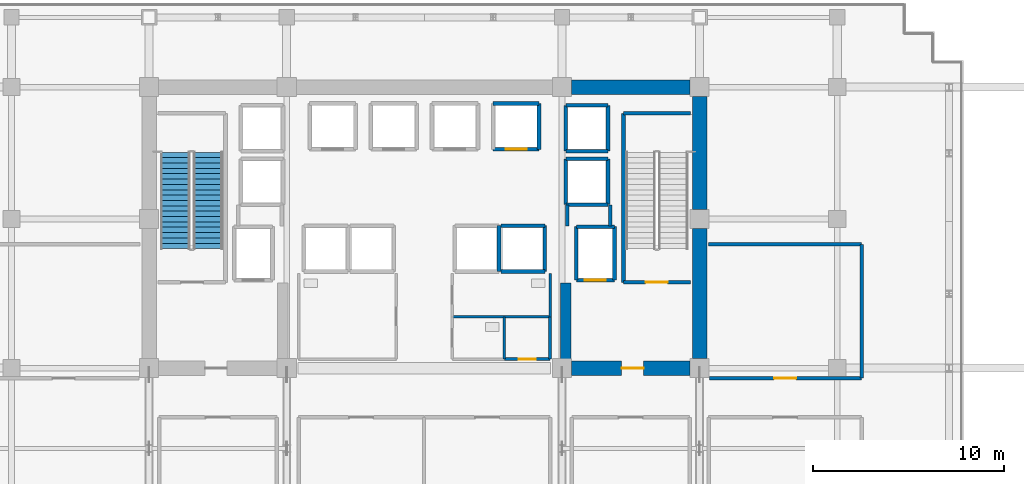
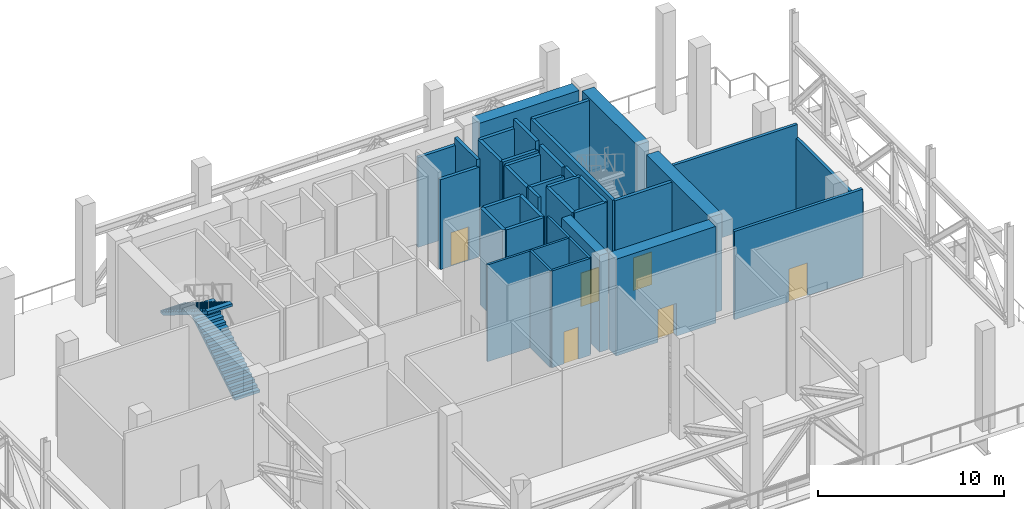
# One storey, part 9 of 15: 37 walls, 6 doors, 2 stair flights, 6 openings, 1 element without a shape of its own.
"""IFC4 building model written with IfcOpenShell, lengths in metres."""

from ifc_helpers import new_model, si_unit, direction, frame, frame_2d, origin, place, context, subcontext, project, spatial, polyline, rectangle, outline, extrude, source, transform, mapped, material, layer, layer_set, type_object, element, fill, aggregate, save


model = new_model("IFC4")

# Units and contexts
model_context = context("Model", 3, precision=1e-05, world=origin(), true_north=direction((0.0, 1.0)))
body_context = subcontext(model_context, "Body", "Model", "MODEL_VIEW")
ifc_project = project(units=[si_unit("LENGTHUNIT", "METRE"), si_unit("AREAUNIT", "SQUARE_METRE"), si_unit("VOLUMEUNIT", "CUBIC_METRE"), si_unit("PLANEANGLEUNIT", "RADIAN"), si_unit("MASSUNIT", "GRAM", prefix="KILO")], contexts=[model_context])

# Site, building, storey
site_placement = place(None, origin())
site = spatial("IfcSite", under=ifc_project, at=site_placement, CompositionType="ELEMENT")
building_placement = place(site_placement, origin())
building = spatial("IfcBuilding", under=site, at=building_placement, Name="Zarnakvel Exchange Tower", CompositionType="ELEMENT")
storey_placement = place(building_placement, frame((0.0, 0.0, 80.199951171875)))
storey = spatial("IfcBuildingStorey", under=building, at=storey_placement, Name="L22", CompositionType="ELEMENT", Elevation=80.199951171875)

# Walls
ifc_material_1 = material(Name="Concrete C60/75", Category="concrete")
ifc_layer_1 = layer(ifc_material_1, 0.75)
ifc_layer_set_1 = layer_set([ifc_layer_1], Name="Concrete C60/75")
wall_type_1 = type_object("IfcWallType", Name="CW-C3", PredefinedType="SHEAR", material=ifc_layer_set_1)
wall_1_placement = place(storey_placement, frame((7.699951171875, 13.5, 0.0), z_axis=(0.0, 0.0, 1.0), x_axis=(1.0, 0.0, 0.0)))
element("IfcWall", 1, at=wall_1_placement, inside=storey, type_object=wall_type_1, Name="L22 Rear Core Shear Wall N3 (CW-C3)", PredefinedType="SHEAR", context=body_context, shape_type="SweptSolid", body=[
    extrude(rectangle(XDim=6.199951171875, YDim=0.75, at=frame_2d((3.10009765625, 0.0))), origin(), (0.0, 0.0, 1.0), 6.35009765625),
])
wall_2_placement = place(storey_placement, frame((14.39990234375, -0.699951171875, 0.0), z_axis=(0.0, 0.0, 1.0), x_axis=(0.0, 1.0, 0.0)))
element("IfcWall", 2, at=wall_2_placement, inside=storey, type_object=wall_type_1, Name="L22 Rear Core Shear Wall E1 (CW-C3)", PredefinedType="SHEAR", context=body_context, shape_type="SweptSolid", body=[
    extrude(rectangle(XDim=6.800048828125, YDim=0.75, at=frame_2d((3.39990234375, 0.0))), origin(), (0.0, 0.0, 1.0), 6.35009765625),
])
wall_3_placement = place(storey_placement, frame((14.39990234375, 7.10009765625, 0.0), z_axis=(0.0, 0.0, 1.0), x_axis=(0.0, 1.0, 0.0)))
element("IfcWall", 3, at=wall_3_placement, inside=storey, type_object=wall_type_1, Name="L22 Rear Core Shear Wall E2 (CW-C3)", PredefinedType="SHEAR", context=body_context, shape_type="SweptSolid", body=[
    extrude(rectangle(XDim=5.89990234375, YDim=0.75, at=frame_2d((2.949951171875, 0.0))), origin(), (0.0, 0.0, 1.0), 6.35009765625),
])

# Wall, opening, door
wall_4_placement = place(storey_placement, frame((13.89990234375, -1.199951171875, 0.0), z_axis=(0.0, 0.0, 1.0), x_axis=(-1.0, 0.0, 0.0)))
wall_4 = element("IfcWall", 4, at=wall_4_placement, inside=storey, type_object=wall_type_1, Name="L22 Rear Core Shear Wall SE (CW-C3)", PredefinedType="SHEAR", context=body_context, shape_type="SweptSolid", body=[
    extrude(rectangle(XDim=6.199951171875, YDim=0.75, at=frame_2d((3.10009765625, 0.0))), origin(), (0.0, 0.0, 1.0), 6.35009765625),
])
opening_1_placement = place(wall_4_placement, frame((2.425048828125, 0.0, 0.0)))
opening_1 = element("IfcOpeningElement", 5, at=opening_1_placement, cuts=wall_4, Name="Opening D-L22-04", PredefinedType="OPENING", context=body_context, shape_type="SweptSolid", body=[
    extrude(rectangle(XDim=1.14990234375, YDim=2.14990234375, at=frame_2d((0.574951171875, 1.074951171875))), frame((0.0, 0.385009765625, 0.0), z_axis=(0.0, -1.0, 0.0), x_axis=(1.0, 0.0, 0.0)), (0.0, 0.0, 1.0), 0.77001953125),
])
ifc_material_2 = material(Name="Painted Galvanised Steel S355", Category="steel")
door_type_1 = type_object("IfcDoorType", Name="DT-04", OperationType="NOTDEFINED", PredefinedType="DOOR", material=ifc_material_2)
shared_shape_1 = source(origin(), body_context, "Body", "SweptSolid", [
    extrude(rectangle(XDim=1.14990234375, YDim=2.14990234375, at=frame_2d((0.574951171875, 1.074951171875))), frame((0.0, 0.02490234375, 0.0), z_axis=(0.0, -1.0, 0.0), x_axis=(1.0, 0.0, 0.0)), (0.0, 0.0, 1.0), 0.050048828125),
])
door_1_placement = place(opening_1_placement, origin())
door_1 = element("IfcDoor", 6, at=door_1_placement, inside=storey, type_object=door_type_1, Name="L22 Firefighting Lobby East Door D-L22-04", OperationType="SINGLE_SWING_RIGHT", OverallHeight=2.14990234375, OverallWidth=1.14990234375, PredefinedType="DOOR", context=body_context, shape_type="MappedRepresentation", body=[
    mapped(shared_shape_1, transform((0.0, 0.0, 0.0), x_axis=(1.0, 0.0, 0.0), y_axis=(0.0, 1.0, 0.0), z_axis=(0.0, 0.0, 1.0), scale=1.0)),
])
fill(opening_1, door_1)

# Wall
ifc_layer_2 = layer(ifc_material_1, 0.550048828125)
ifc_layer_set_2 = layer_set([ifc_layer_2], Name="Concrete C60/75")
wall_type_2 = type_object("IfcWallType", Name="CW-C4", PredefinedType="SHEAR", material=ifc_layer_set_2)
wall_5_placement = place(storey_placement, frame((7.39990234375, -0.824951171875, 0.0), z_axis=(0.0, 0.0, 1.0), x_axis=(0.0, 1.0, 0.0)))
element("IfcWall", 7, at=wall_5_placement, inside=storey, type_object=wall_type_2, Name="L22 Rear Core Shear Wall IE (CW-C4)", PredefinedType="SHEAR", context=body_context, shape_type="SweptSolid", body=[
    extrude(rectangle(XDim=4.074951171875, YDim=0.550048828125, at=frame_2d((2.03759765625, 0.0))), origin(), (0.0, 0.0, 1.0), 6.35009765625),
])

# Wall, opening, door
ifc_material_3 = material(Name="Fire-Rated Gypsum Stud Partition", Category="gypsum")
ifc_layer_3 = layer(ifc_material_3, 0.14990234375)
ifc_layer_set_3 = layer_set([ifc_layer_3], Name="Fire-Rated Gypsum Stud Partition")
wall_type_3 = type_object("IfcWallType", Name="PT-01", PredefinedType="PARTITIONING", material=ifc_layer_set_3)
wall_6_placement = place(storey_placement, frame((6.580078125, -0.72998046875, 0.0), z_axis=(0.0, 0.0, 1.0), x_axis=(-1.0, 0.0, 0.0)))
wall_6 = element("IfcWall", 8, at=wall_6_placement, inside=storey, type_object=wall_type_3, Name="L22 Partition Wall PWALL-L22-020 (PT-01)", PredefinedType="PARTITIONING", context=body_context, shape_type="SweptSolid", body=[
    extrude(rectangle(XDim=2.400146484375, YDim=0.14990234375, at=frame_2d((1.2001953125, 0.0))), origin(), (0.0, 0.0, 1.0), 6.35009765625),
])
opening_2_placement = place(wall_6_placement, frame((0.760009765625, 0.0, 0.0)))
opening_2 = element("IfcOpeningElement", 9, at=opening_2_placement, cuts=wall_6, Name="Opening D-L22-08", PredefinedType="OPENING", context=body_context, shape_type="SweptSolid", body=[
    extrude(rectangle(XDim=0.8798828125, YDim=2.10009765625, at=frame_2d((0.43994140625, 1.050048828125))), frame((0.0, 0.0849609375, 0.0), z_axis=(0.0, -1.0, 0.0), x_axis=(1.0, 0.0, 0.0)), (0.0, 0.0, 1.0), 0.169921875),
])
door_type_2 = type_object("IfcDoorType", Name="DT-08", OperationType="NOTDEFINED", PredefinedType="DOOR", material=ifc_material_2)
shared_shape_2 = source(origin(), body_context, "Body", "SweptSolid", [
    extrude(rectangle(XDim=0.8798828125, YDim=2.10009765625, at=frame_2d((0.43994140625, 1.050048828125))), frame((0.0, 0.02490234375, 0.0), z_axis=(0.0, -1.0, 0.0), x_axis=(1.0, 0.0, 0.0)), (0.0, 0.0, 1.0), 0.050048828125),
])
door_2_placement = place(opening_2_placement, origin())
door_2 = element("IfcDoor", 10, at=door_2_placement, inside=storey, type_object=door_type_2, Name="L22 Cleaners Store Door D-L22-08", OperationType="SINGLE_SWING_RIGHT", OverallHeight=2.10009765625, OverallWidth=0.8798828125, PredefinedType="DOOR", context=body_context, shape_type="MappedRepresentation", body=[
    mapped(shared_shape_2, transform((0.0, 0.0, 0.0), x_axis=(1.0, 0.0, 0.0), y_axis=(0.0, 1.0, 0.0), z_axis=(0.0, 0.0, 1.0), scale=1.0)),
])
fill(opening_2, door_2)

# Walls
wall_7_placement = place(storey_placement, frame((6.580078125, 1.47998046875, 0.0), z_axis=(0.0, 0.0, 1.0), x_axis=(0.0, -1.0, 0.0)))
element("IfcWall", 11, at=wall_7_placement, inside=storey, type_object=wall_type_3, Name="L22 Partition Wall PWALL-L22-021 (PT-01)", PredefinedType="PARTITIONING", context=body_context, shape_type="SweptSolid", body=[
    extrude(rectangle(XDim=2.2099609375, YDim=0.14990234375, at=frame_2d((1.10498046875, 0.0))), origin(), (0.0, 0.0, 1.0), 6.35009765625),
])
ifc_layer_4 = layer(ifc_material_3, 0.179931640625)
ifc_layer_set_4 = layer_set([ifc_layer_4], Name="Fire-Rated Gypsum Stud Partition")
wall_type_4 = type_object("IfcWallType", Name="PT-02", PredefinedType="PARTITIONING", material=ifc_layer_set_4)
wall_8_placement = place(storey_placement, frame((7.469970703125, 6.239990234375, 0.0), z_axis=(0.0, 0.0, 1.0), x_axis=(0.0, 1.0, 0.0)))
element("IfcWall", 12, at=wall_8_placement, inside=storey, type_object=wall_type_4, Name="L22 Partition Wall PWALL-L22-009 (PT-02)", PredefinedType="PARTITIONING", context=body_context, shape_type="SweptSolid", body=[
    extrude(rectangle(XDim=1.090087890625, YDim=0.179931640625, at=frame_2d((0.544921875, 0.0))), origin(), (0.0, 0.0, 1.0), 5.7900390625),
])
wall_9_placement = place(storey_placement, frame((9.72998046875, 7.330078125, 0.0), z_axis=(0.0, 0.0, 1.0), x_axis=(0.0, -1.0, 0.0)))
element("IfcWall", 13, at=wall_9_placement, inside=storey, type_object=wall_type_4, Name="L22 Partition Wall PWALL-L22-010 (PT-02)", PredefinedType="PARTITIONING", context=body_context, shape_type="SweptSolid", body=[
    extrude(rectangle(XDim=1.090087890625, YDim=0.179931640625, at=frame_2d((0.544921875, 0.0))), origin(), (0.0, 0.0, 1.0), 6.35009765625),
])

# Wall, opening, door
wall_10_placement = place(storey_placement, frame((22.8798828125, -1.719970703125, 0.0), z_axis=(0.0, 0.0, 1.0), x_axis=(-1.0, 0.0, 0.0)))
wall_10 = element("IfcWall", 14, at=wall_10_placement, inside=storey, type_object=wall_type_4, Name="L22 Partition Wall PWALL-L22-025 (PT-02)", PredefinedType="PARTITIONING", context=body_context, shape_type="SweptSolid", body=[
    extrude(rectangle(XDim=7.9599609375, YDim=0.179931640625, at=frame_2d((3.97998046875, 0.0))), origin(), (0.0, 0.0, 1.0), 5.7900390625),
])
opening_3_placement = place(wall_10_placement, frame((3.429931640625, 0.0, 0.0)))
opening_3 = element("IfcOpeningElement", 15, at=opening_3_placement, cuts=wall_10, Name="Opening D-L22-10", PredefinedType="OPENING", context=body_context, shape_type="SweptSolid", body=[
    extrude(rectangle(XDim=1.14990234375, YDim=2.14990234375, at=frame_2d((0.574951171875, 1.074951171875))), frame((0.0, 0.099853515625, 0.0), z_axis=(0.0, -1.0, 0.0), x_axis=(1.0, 0.0, 0.0)), (0.0, 0.0, 1.0), 0.199951171875),
])
door_3_placement = place(opening_3_placement, origin())
door_3 = element("IfcDoor", 16, at=door_3_placement, inside=storey, type_object=door_type_1, Name="L22 L22 Protected Refuge Area East Door D-L22-10", OperationType="SINGLE_SWING_RIGHT", OverallHeight=2.14990234375, OverallWidth=1.14990234375, PredefinedType="DOOR", context=body_context, shape_type="MappedRepresentation", body=[
    mapped(shared_shape_1, transform((0.0, 0.0, 0.0), x_axis=(1.0, 0.0, 0.0), y_axis=(0.0, 1.0, 0.0), z_axis=(0.0, 0.0, 1.0), scale=1.0)),
])
fill(opening_3, door_3)

# Walls
wall_11_placement = place(storey_placement, frame((14.8701171875, 5.280029296875, 0.0), z_axis=(0.0, 0.0, 1.0), x_axis=(1.0, 0.0, 0.0)))
element("IfcWall", 17, at=wall_11_placement, inside=storey, type_object=wall_type_4, Name="L22 Partition Wall PWALL-L22-026 (PT-02)", PredefinedType="PARTITIONING", context=body_context, shape_type="SweptSolid", body=[
    extrude(rectangle(XDim=8.009765625, YDim=0.179931640625, at=frame_2d((4.0048828125, 0.0))), origin(), (0.0, 0.0, 1.0), 5.7900390625),
])
wall_12_placement = place(storey_placement, frame((22.8798828125, 5.280029296875, 0.0), z_axis=(0.0, 0.0, 1.0), x_axis=(0.0, -1.0, 0.0)))
element("IfcWall", 18, at=wall_12_placement, inside=storey, type_object=wall_type_4, Name="L22 Partition Wall PWALL-L22-027 (PT-02)", PredefinedType="PARTITIONING", context=body_context, shape_type="SweptSolid", body=[
    extrude(rectangle(XDim=7.0, YDim=0.179931640625, at=frame_2d((3.5, 0.0))), origin(), (0.0, 0.0, 1.0), 4.89013671875),
])
ifc_material_4 = material(Name="Moisture-Resistant Tile-Faced Partition", Category="gypsum")
ifc_layer_5 = layer(ifc_material_4, 0.135009765625)
ifc_layer_set_5 = layer_set([ifc_layer_5], Name="Moisture-Resistant Tile-Faced Partition")
wall_type_5 = type_object("IfcWallType", Name="PT-03", PredefinedType="PARTITIONING", material=ifc_layer_set_5)
wall_13_placement = place(storey_placement, frame((6.580078125, 1.47998046875, 0.0), z_axis=(0.0, 0.0, 1.0), x_axis=(-1.0, 0.0, 0.0)))
element("IfcWall", 19, at=wall_13_placement, inside=storey, type_object=wall_type_5, Name="L22 Partition Wall PWALL-L22-014 (PT-03)", PredefinedType="PARTITIONING", context=body_context, shape_type="SweptSolid", body=[
    extrude(rectangle(XDim=5.110107421875, YDim=0.135009765625, at=frame_2d((2.55517578125, 0.0))), origin(), (0.0, 0.0, 1.0), 6.35009765625),
])
wall_14_placement = place(storey_placement, frame((6.580078125, 3.760009765625, 0.0), z_axis=(0.0, 0.0, 1.0), x_axis=(0.0, -1.0, 0.0)))
element("IfcWall", 20, at=wall_14_placement, inside=storey, type_object=wall_type_5, Name="L22 Partition Wall PWALL-L22-016 (PT-03)", PredefinedType="PARTITIONING", context=body_context, shape_type="SweptSolid", body=[
    extrude(rectangle(XDim=2.280029296875, YDim=0.135009765625, at=frame_2d((1.14013671875, 0.0))), origin(), (0.0, 0.0, 1.0), 6.35009765625),
])
wall_15_placement = place(storey_placement, frame((4.179931640625, 1.47998046875, 0.0), z_axis=(0.0, 0.0, 1.0), x_axis=(0.0, -1.0, 0.0)))
element("IfcWall", 21, at=wall_15_placement, inside=storey, type_object=wall_type_5, Name="L22 Partition Wall PWALL-L22-019 (PT-03)", PredefinedType="PARTITIONING", context=body_context, shape_type="SweptSolid", body=[
    extrude(rectangle(XDim=2.2099609375, YDim=0.135009765625, at=frame_2d((1.10498046875, 0.0))), origin(), (0.0, 0.0, 1.0), 6.35009765625),
])

# Wall, opening, door
ifc_material_5 = material(Name="Concrete C40/50", Category="concrete")
ifc_layer_6 = layer(ifc_material_5, 0.199951171875)
ifc_layer_set_6 = layer_set([ifc_layer_6], Name="Concrete C40/50")
wall_type_6 = type_object("IfcWallType", Name="SW-01", PredefinedType="SOLIDWALL", material=ifc_layer_set_6)
wall_16_placement = place(storey_placement, frame((9.949951171875, 3.39990234375, 0.0), z_axis=(0.0, 0.0, 1.0), x_axis=(-1.0, 0.0, 0.0)))
wall_16 = element("IfcWall", 22, at=wall_16_placement, inside=storey, type_object=wall_type_6, Name="L22 FL-02 Hoistway Wall South", PredefinedType="SOLIDWALL", context=body_context, shape_type="SweptSolid", body=[
    extrude(rectangle(XDim=2.0, YDim=0.199951171875, at=frame_2d((1.0, 0.0))), origin(), (0.0, 0.0, 1.0), 6.35009765625),
])
opening_4_placement = place(wall_16_placement, frame((0.449951171875, 0.0, 0.0)))
opening_4 = element("IfcOpeningElement", 23, at=opening_4_placement, cuts=wall_16, Name="Opening LD-FL-02-L22", PredefinedType="OPENING", context=body_context, shape_type="SweptSolid", body=[
    extrude(rectangle(XDim=1.10009765625, YDim=2.199951171875, at=frame_2d((0.550048828125, 1.10009765625))), frame((0.0, 0.10986328125, 0.0), z_axis=(0.0, -1.0, 0.0), x_axis=(1.0, 0.0, 0.0)), (0.0, 0.0, 1.0), 0.219970703125),
])
ifc_material_6 = material(Name="Brushed Stainless Steel", Category="steel")
door_type_3 = type_object("IfcDoorType", Name="LDT-01", OperationType="NOTDEFINED", PredefinedType="DOOR", material=ifc_material_6)
shared_shape_3 = source(origin(), body_context, "Body", "SweptSolid", [
    extrude(rectangle(XDim=1.10009765625, YDim=2.199951171875, at=frame_2d((0.550048828125, 1.10009765625))), frame((0.0, 0.02490234375, 0.0), z_axis=(0.0, -1.0, 0.0), x_axis=(1.0, 0.0, 0.0)), (0.0, 0.0, 1.0), 0.050048828125),
])
door_4_placement = place(opening_4_placement, origin())
door_4 = element("IfcDoor", 24, at=door_4_placement, inside=storey, type_object=door_type_3, Name="L22 FL-02 Lift Landing Door LD-FL-02-L22", OperationType="DOUBLE_DOOR_SLIDING", OverallHeight=2.199951171875, OverallWidth=1.10009765625, PredefinedType="DOOR", context=body_context, shape_type="MappedRepresentation", body=[
    mapped(shared_shape_3, transform((0.0, 0.0, 0.0), x_axis=(1.0, 0.0, 0.0), y_axis=(0.0, 1.0, 0.0), z_axis=(0.0, 0.0, 1.0), scale=1.0)),
])
fill(opening_4, door_4)

# Walls
wall_17_placement = place(storey_placement, frame((7.949951171875, 6.199951171875, 0.0), z_axis=(0.0, 0.0, 1.0), x_axis=(1.0, 0.0, 0.0)))
element("IfcWall", 25, at=wall_17_placement, inside=storey, type_object=wall_type_6, Name="L22 FL-02 Hoistway Wall North", PredefinedType="SOLIDWALL", context=body_context, shape_type="SweptSolid", body=[
    extrude(rectangle(XDim=2.0, YDim=0.199951171875, at=frame_2d((1.0, 0.0))), origin(), (0.0, 0.0, 1.0), 6.35009765625),
])
for number, where, z_axis, x_axis, name in (
    (26, (7.949951171875, 3.39990234375, 0.0), (0.0, 0.0, 1.0), (0.0, 1.0, 0.0), "L22 FL-02 Hoistway Wall West"),
    (27, (9.949951171875, 6.199951171875, 0.0), (0.0, 0.0, 1.0), (0.0, -1.0, 0.0), "L22 FL-02 Hoistway Wall East"),
):
    element("IfcWall", number, at=place(storey_placement, frame(where, z_axis=z_axis, x_axis=x_axis)), inside=storey, type_object=wall_type_6, Name=name, PredefinedType="SOLIDWALL", context=body_context, shape_type="SweptSolid", body=[
        extrude(rectangle(XDim=2.800048828125, YDim=0.199951171875, at=frame_2d((1.39990234375, 0.0))), origin(), (0.0, 0.0, 1.0), 6.35009765625),
    ])

# Wall, opening, door
wall_18_placement = place(storey_placement, frame((6.0, 10.25, 0.0), z_axis=(0.0, 0.0, 1.0), x_axis=(-1.0, 0.0, 0.0)))
wall_18 = element("IfcWall", 28, at=wall_18_placement, inside=storey, type_object=wall_type_6, Name="L22 PL-04 Hoistway Wall South", PredefinedType="SOLIDWALL", context=body_context, shape_type="SweptSolid", body=[
    extrude(rectangle(XDim=2.39990234375, YDim=0.199951171875, at=frame_2d((1.199951171875, 0.0))), origin(), (0.0, 0.0, 1.0), 5.89013671875),
])
opening_5_placement = place(wall_18_placement, frame((0.64990234375, 0.0, 0.0)))
opening_5 = element("IfcOpeningElement", 29, at=opening_5_placement, cuts=wall_18, Name="Opening LD-PL-04-L22", PredefinedType="OPENING", context=body_context, shape_type="SweptSolid", body=[
    extrude(rectangle(XDim=1.10009765625, YDim=2.199951171875, at=frame_2d((0.550048828125, 1.10009765625))), frame((0.0, 0.10986328125, 0.0), z_axis=(0.0, -1.0, 0.0), x_axis=(1.0, 0.0, 0.0)), (0.0, 0.0, 1.0), 0.219970703125),
])
ifc_material_7 = material(Name="Architectural Bronze Anodised Aluminium", Category="aluminium")
door_type_4 = type_object("IfcDoorType", Name="LDT-02", OperationType="NOTDEFINED", PredefinedType="DOOR", material=ifc_material_7)
door_5_placement = place(opening_5_placement, origin())
door_5 = element("IfcDoor", 30, at=door_5_placement, inside=storey, type_object=door_type_4, Name="L22 PL-04 Lift Landing Door LD-PL-04-L22", OperationType="DOUBLE_DOOR_SLIDING", OverallHeight=2.199951171875, OverallWidth=1.10009765625, PredefinedType="DOOR", context=body_context, shape_type="MappedRepresentation", body=[
    mapped(shared_shape_3, transform((0.0, 0.0, 0.0), x_axis=(1.0, 0.0, 0.0), y_axis=(0.0, 1.0, 0.0), z_axis=(0.0, 0.0, 1.0), scale=1.0)),
])
fill(opening_5, door_5)

# Walls
wall_19_placement = place(storey_placement, frame((3.60009765625, 12.64990234375, 0.0), z_axis=(0.0, 0.0, 1.0), x_axis=(1.0, 0.0, 0.0)))
element("IfcWall", 31, at=wall_19_placement, inside=storey, type_object=wall_type_6, Name="L22 PL-04 Hoistway Wall North", PredefinedType="SOLIDWALL", context=body_context, shape_type="SweptSolid", body=[
    extrude(rectangle(XDim=2.39990234375, YDim=0.199951171875, at=frame_2d((1.199951171875, 0.0))), origin(), (0.0, 0.0, 1.0), 5.89013671875),
])
for number, where, z_axis, x_axis, name in (
    (32, (6.0, 12.64990234375, 0.0), (0.0, 0.0, 1.0), (0.0, -1.0, 0.0), "L22 PL-04 Hoistway Wall East"),
    (33, (3.89990234375, 6.25, 0.0), (0.0, 0.0, 1.0), (0.0, -1.0, 0.0), "L22 PL-07 Hoistway Wall East"),
):
    element("IfcWall", number, at=place(storey_placement, frame(where, z_axis=z_axis, x_axis=x_axis)), inside=storey, type_object=wall_type_6, Name=name, PredefinedType="SOLIDWALL", context=body_context, shape_type="SweptSolid", body=[
        extrude(rectangle(XDim=2.39990234375, YDim=0.199951171875, at=frame_2d((1.199951171875, 0.0))), origin(), (0.0, 0.0, 1.0), 6.35009765625),
    ])
for number, where, z_axis, x_axis, name in (
    (34, (6.300048828125, 3.85009765625, 0.0), (0.0, 0.0, 1.0), (-1.0, 0.0, 0.0), "L22 PL-08 Hoistway Wall South"),
    (35, (4.0, 6.25, 0.0), (0.0, 0.0, 1.0), (1.0, 0.0, 0.0), "L22 PL-08 Hoistway Wall North"),
):
    element("IfcWall", number, at=place(storey_placement, frame(where, z_axis=z_axis, x_axis=x_axis)), inside=storey, type_object=wall_type_6, Name=name, PredefinedType="SOLIDWALL", context=body_context, shape_type="SweptSolid", body=[
        extrude(rectangle(XDim=2.300048828125, YDim=0.199951171875, at=frame_2d((1.14990234375, 0.0))), origin(), (0.0, 0.0, 1.0), 6.35009765625),
    ])
wall_20_placement = place(storey_placement, frame((6.300048828125, 6.25, 0.0), z_axis=(0.0, 0.0, 1.0), x_axis=(0.0, -1.0, 0.0)))
element("IfcWall", 36, at=wall_20_placement, inside=storey, type_object=wall_type_6, Name="L22 PL-08 Hoistway Wall East", PredefinedType="SOLIDWALL", context=body_context, shape_type="SweptSolid", body=[
    extrude(rectangle(XDim=2.39990234375, YDim=0.199951171875, at=frame_2d((1.199951171875, 0.0))), origin(), (0.0, 0.0, 1.0), 6.35009765625),
])
for number, where, z_axis, x_axis, name in (
    (37, (9.60009765625, 7.35009765625, 0.0), (0.0, 0.0, 1.0), (-1.0, 0.0, 0.0), "L22 PL-11 Hoistway Wall South"),
    (38, (7.39990234375, 9.75, 0.0), (0.0, 0.0, 1.0), (1.0, 0.0, 0.0), "L22 PL-11 Hoistway Wall North"),
):
    element("IfcWall", number, at=place(storey_placement, frame(where, z_axis=z_axis, x_axis=x_axis)), inside=storey, type_object=wall_type_6, Name=name, PredefinedType="SOLIDWALL", context=body_context, shape_type="SweptSolid", body=[
        extrude(rectangle(XDim=2.2001953125, YDim=0.199951171875, at=frame_2d((1.10009765625, 0.0))), origin(), (0.0, 0.0, 1.0), 5.7900390625),
    ])
wall_21_placement = place(storey_placement, frame((7.39990234375, 7.35009765625, 0.0), z_axis=(0.0, 0.0, 1.0), x_axis=(0.0, 1.0, 0.0)))
element("IfcWall", 39, at=wall_21_placement, inside=storey, type_object=wall_type_6, Name="L22 PL-11 Hoistway Wall West", PredefinedType="SOLIDWALL", context=body_context, shape_type="SweptSolid", body=[
    extrude(rectangle(XDim=2.39990234375, YDim=0.199951171875, at=frame_2d((1.199951171875, 0.0))), origin(), (0.0, 0.0, 1.0), 5.7900390625),
])
wall_22_placement = place(storey_placement, frame((9.60009765625, 9.75, 0.0), z_axis=(0.0, 0.0, 1.0), x_axis=(0.0, -1.0, 0.0)))
element("IfcWall", 40, at=wall_22_placement, inside=storey, type_object=wall_type_6, Name="L22 PL-11 Hoistway Wall East", PredefinedType="SOLIDWALL", context=body_context, shape_type="SweptSolid", body=[
    extrude(rectangle(XDim=2.39990234375, YDim=0.199951171875, at=frame_2d((1.199951171875, 0.0))), origin(), (0.0, 0.0, 1.0), 6.35009765625),
])
for number, where, z_axis, x_axis, name in (
    (41, (9.60009765625, 10.14990234375, 0.0), (0.0, 0.0, 1.0), (-1.0, 0.0, 0.0), "L22 PL-12 Hoistway Wall South"),
    (42, (7.39990234375, 12.550048828125, 0.0), (0.0, 0.0, 1.0), (1.0, 0.0, 0.0), "L22 PL-12 Hoistway Wall North"),
):
    element("IfcWall", number, at=place(storey_placement, frame(where, z_axis=z_axis, x_axis=x_axis)), inside=storey, type_object=wall_type_6, Name=name, PredefinedType="SOLIDWALL", context=body_context, shape_type="SweptSolid", body=[
        extrude(rectangle(XDim=2.2001953125, YDim=0.199951171875, at=frame_2d((1.10009765625, 0.0))), origin(), (0.0, 0.0, 1.0), 5.7900390625),
    ])
wall_23_placement = place(storey_placement, frame((7.39990234375, 10.14990234375, 0.0), z_axis=(0.0, 0.0, 1.0), x_axis=(0.0, 1.0, 0.0)))
element("IfcWall", 43, at=wall_23_placement, inside=storey, type_object=wall_type_6, Name="L22 PL-12 Hoistway Wall West", PredefinedType="SOLIDWALL", context=body_context, shape_type="SweptSolid", body=[
    extrude(rectangle(XDim=2.400146484375, YDim=0.199951171875, at=frame_2d((1.2001953125, 0.0))), origin(), (0.0, 0.0, 1.0), 5.7900390625),
])
wall_24_placement = place(storey_placement, frame((9.60009765625, 12.550048828125, 0.0), z_axis=(0.0, 0.0, 1.0), x_axis=(0.0, -1.0, 0.0)))
element("IfcWall", 44, at=wall_24_placement, inside=storey, type_object=wall_type_6, Name="L22 PL-12 Hoistway Wall East", PredefinedType="SOLIDWALL", context=body_context, shape_type="SweptSolid", body=[
    extrude(rectangle(XDim=2.400146484375, YDim=0.199951171875, at=frame_2d((1.2001953125, 0.0))), origin(), (0.0, 0.0, 1.0), 6.35009765625),
])

# Wall, opening, door
ifc_layer_7 = layer(ifc_material_5, 0.199951171875)
ifc_layer_set_7 = layer_set([ifc_layer_7], Name="Concrete C40/50")
wall_type_7 = type_object("IfcWallType", Name="SW-02", PredefinedType="SOLIDWALL", material=ifc_layer_set_7)
wall_25_placement = place(storey_placement, frame((13.929931640625, 3.2900390625, 0.0), z_axis=(0.0, 0.0, 1.0), x_axis=(-1.0, 0.0, 0.0)))
wall_25 = element("IfcWall", 45, at=wall_25_placement, inside=storey, type_object=wall_type_7, Name="L22 Stairwell Core Wall PWALL-L22-004 (SW-02)", PredefinedType="SOLIDWALL", context=body_context, shape_type="SweptSolid", body=[
    extrude(rectangle(XDim=3.52001953125, YDim=0.199951171875, at=frame_2d((1.760009765625, 0.0))), origin(), (0.0, 0.0, 1.0), 6.35009765625),
])
opening_6_placement = place(wall_25_placement, frame((1.205078125, 0.0, 0.0)))
opening_6 = element("IfcOpeningElement", 46, at=opening_6_placement, cuts=wall_25, Name="Opening D-L22-02", PredefinedType="OPENING", context=body_context, shape_type="SweptSolid", body=[
    extrude(rectangle(XDim=1.14990234375, YDim=2.14990234375, at=frame_2d((0.574951171875, 1.074951171875))), frame((0.0, 0.10986328125, 0.0), z_axis=(0.0, -1.0, 0.0), x_axis=(1.0, 0.0, 0.0)), (0.0, 0.0, 1.0), 0.219970703125),
])
door_6_placement = place(opening_6_placement, origin())
door_6 = element("IfcDoor", 47, at=door_6_placement, inside=storey, type_object=door_type_1, Name="L22 Stairwell ST-02 Door D-L22-02", OperationType="SINGLE_SWING_RIGHT", OverallHeight=2.14990234375, OverallWidth=1.14990234375, PredefinedType="DOOR", context=body_context, shape_type="MappedRepresentation", body=[
    mapped(shared_shape_1, transform((0.0, 0.0, 0.0), x_axis=(1.0, 0.0, 0.0), y_axis=(0.0, 1.0, 0.0), z_axis=(0.0, 0.0, 1.0), scale=1.0)),
])
fill(opening_6, door_6)

# Walls
wall_26_placement = place(storey_placement, frame((10.409912109375, 12.1298828125, 0.0), z_axis=(0.0, 0.0, 1.0), x_axis=(1.0, 0.0, 0.0)))
element("IfcWall", 48, at=wall_26_placement, inside=storey, type_object=wall_type_7, Name="L22 Stairwell Core Wall PWALL-L22-005 (SW-02)", PredefinedType="SOLIDWALL", context=body_context, shape_type="SweptSolid", body=[
    extrude(rectangle(XDim=3.52001953125, YDim=0.199951171875, at=frame_2d((1.760009765625, 0.0))), origin(), (0.0, 0.0, 1.0), 6.35009765625),
])
wall_27_placement = place(storey_placement, frame((10.409912109375, 3.2900390625, 0.0), z_axis=(0.0, 0.0, 1.0), x_axis=(0.0, 1.0, 0.0)))
element("IfcWall", 49, at=wall_27_placement, inside=storey, type_object=wall_type_7, Name="L22 Stairwell Core Wall PWALL-L22-006 (SW-02)", PredefinedType="SOLIDWALL", context=body_context, shape_type="SweptSolid", body=[
    extrude(rectangle(XDim=8.83984375, YDim=0.199951171875, at=frame_2d((4.419921875, 0.0))), origin(), (0.0, 0.0, 1.0), 6.35009765625),
])

# Stair, stair flights
stair_type = type_object("IfcStairType", Name="STR-01", PredefinedType="HALF_TURN_STAIR", material=ifc_material_5)
stair_placement = place(storey_placement, origin())
stair = element("IfcStair", 50, at=stair_placement, inside=storey, type_object=stair_type, Name="L22 Protected Core Exit Stair ST-01", PredefinedType="HALF_TURN_STAIR")
stair_flight_type = type_object("IfcStairFlightType", Name="FLT-01", PredefinedType="STRAIGHT", material=ifc_material_5)
stair_flight_1_placement = place(storey_placement, frame((-11.31494140625, 5.050048828125, 0.0), z_axis=(0.0, 0.0, 1.0), x_axis=(0.0, 1.0, 0.0)))
stair_flight_1 = element("IfcStairFlight", 51, at=stair_flight_1_placement, type_object=stair_flight_type, Name="ST-01 flight 1", NumberOfRisers=19, NumberOfTreads=18, PredefinedType="STRAIGHT", RiserHeight=0.173684211, TreadLength=0.28, context=body_context, shape_type="SweptSolid", body=[
    extrude(outline(polyline([(0.0, 0.0), (0.0, 0.173583984375), (0.280029296875, 0.173583984375), (0.280029296875, 0.347412109375), (0.56005859375, 0.347412109375), (0.56005859375, 0.52099609375), (0.840087890625, 0.52099609375), (0.840087890625, 0.69482421875), (1.1201171875, 0.69482421875), (1.1201171875, 0.868408203125), (1.39990234375, 0.868408203125), (1.39990234375, 1.0419921875), (1.679931640625, 1.0419921875), (1.679931640625, 1.2158203125), (1.9599609375, 1.2158203125), (1.9599609375, 1.389404296875), (2.239990234375, 1.389404296875), (2.239990234375, 1.563232421875), (2.52001953125, 1.563232421875), (2.52001953125, 1.73681640625), (2.800048828125, 1.73681640625), (2.800048828125, 1.91064453125), (3.080078125, 1.91064453125), (3.080078125, 2.084228515625), (3.360107421875, 2.084228515625), (3.360107421875, 2.2578125), (3.639892578125, 2.2578125), (3.639892578125, 2.431640625), (3.919921875, 2.431640625), (3.919921875, 2.605224609375), (4.199951171875, 2.605224609375), (4.199951171875, 2.779052734375), (4.47998046875, 2.779052734375), (4.47998046875, 2.95263671875), (4.760009765625, 2.95263671875), (4.760009765625, 3.126220703125), (5.0400390625, 3.126220703125), (5.0400390625, 3.300048828125), (5.0400390625, 2.949951171875), (0.284423828125, 0.0), (0.0, 0.0)])), frame((0.0, 0.77490234375, 0.0), z_axis=(0.0, -1.0, 0.0), x_axis=(1.0, 0.0, 0.0)), (0.0, 0.0, 1.0), 1.550048828125),
])
stair_flight_2_placement = place(storey_placement, frame((-13.02490234375, 10.090087890625, 3.300048828125), z_axis=(0.0, 0.0, 1.0), x_axis=(0.0, -1.0, 0.0)))
stair_flight_2 = element("IfcStairFlight", 52, at=stair_flight_2_placement, type_object=stair_flight_type, Name="ST-01 flight 2", NumberOfRisers=19, NumberOfTreads=18, PredefinedType="STRAIGHT", RiserHeight=0.173684211, TreadLength=0.28, context=body_context, shape_type="SweptSolid", body=[
    extrude(outline(polyline([(0.0, 0.0), (0.0, 0.173583984375), (0.280029296875, 0.173583984375), (0.280029296875, 0.347412109375), (0.56005859375, 0.347412109375), (0.56005859375, 0.52099609375), (0.840087890625, 0.52099609375), (0.840087890625, 0.69482421875), (1.1201171875, 0.69482421875), (1.1201171875, 0.868408203125), (1.39990234375, 0.868408203125), (1.39990234375, 1.0419921875), (1.679931640625, 1.0419921875), (1.679931640625, 1.2158203125), (1.9599609375, 1.2158203125), (1.9599609375, 1.389404296875), (2.239990234375, 1.389404296875), (2.239990234375, 1.563232421875), (2.52001953125, 1.563232421875), (2.52001953125, 1.73681640625), (2.800048828125, 1.73681640625), (2.800048828125, 1.91064453125), (3.080078125, 1.91064453125), (3.080078125, 2.084228515625), (3.360107421875, 2.084228515625), (3.360107421875, 2.2578125), (3.639892578125, 2.2578125), (3.639892578125, 2.431640625), (3.919921875, 2.431640625), (3.919921875, 2.605224609375), (4.199951171875, 2.605224609375), (4.199951171875, 2.779052734375), (4.47998046875, 2.779052734375), (4.47998046875, 2.95263671875), (4.760009765625, 2.95263671875), (4.760009765625, 3.126220703125), (5.0400390625, 3.126220703125), (5.0400390625, 3.300048828125), (5.0400390625, 2.949951171875), (0.284423828125, 0.0), (0.0, 0.0)])), frame((0.0, 0.77490234375, 0.0), z_axis=(0.0, -1.0, 0.0), x_axis=(1.0, 0.0, 0.0)), (0.0, 0.0, 1.0), 1.550048828125),
])
aggregate(stair, [stair_flight_1, stair_flight_2])

save(model, "model.ifc")
